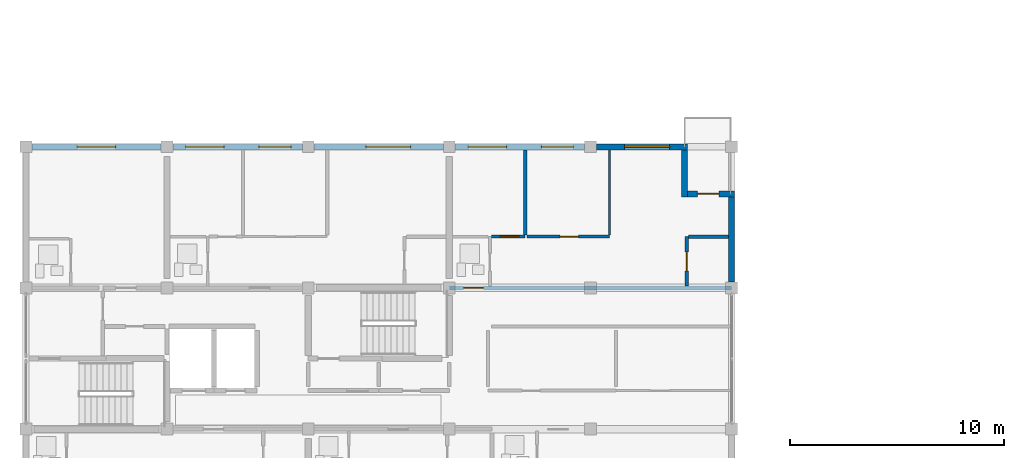
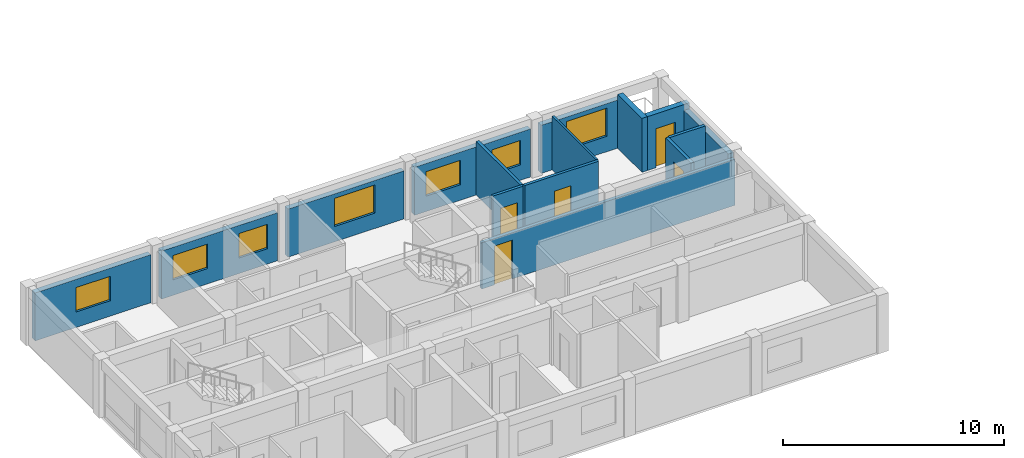
# One storey, part 33 of 46: 15 walls, 7 windows, 5 doors, 12 openings.
"""IFC4 building model written with IfcOpenShell, lengths in metres."""

from ifc_helpers import new_model, si_unit, direction, frame, frame_2d, origin, place, context, subcontext, project, spatial, rectangle, extrude, material, layer, layer_set, type_object, element, fill, save


model = new_model("IFC4")

# Units and contexts
model_context = context("Model", 3, precision=1e-05, world=origin(), true_north=direction((0.0, 1.0)))
body_context = subcontext(model_context, "Body", "Model", "MODEL_VIEW")
ifc_project = project(units=[si_unit("LENGTHUNIT", "METRE"), si_unit("AREAUNIT", "SQUARE_METRE"), si_unit("VOLUMEUNIT", "CUBIC_METRE"), si_unit("PLANEANGLEUNIT", "RADIAN"), si_unit("MASSUNIT", "GRAM", prefix="KILO")], contexts=[model_context])

# Site, building, storey
site_placement = place(None, origin())
site = spatial("IfcSite", under=ifc_project, at=site_placement, CompositionType="ELEMENT")
building_placement = place(site_placement, origin())
building = spatial("IfcBuilding", under=site, at=building_placement, Name="Kernevlak Ridge Housing Community", CompositionType="ELEMENT")
storey_placement = place(building_placement, frame((0.0, 0.0, 27.60009765625)))
storey = spatial("IfcBuildingStorey", under=building, at=storey_placement, Name="L08", CompositionType="ELEMENT", Elevation=27.60009765625)

# Wall, opening, window
ifc_material_1 = material(Name="Concrete block masonry M10", Category="masonry")
ifc_layer_1 = layer(ifc_material_1, 0.280029296875, Name="Concrete block masonry M10")
ifc_layer_set_1 = layer_set([ifc_layer_1], Name="Concrete block masonry M10")
wall_type_1 = type_object("IfcWallType", Name="EW-03", PredefinedType="STANDARD", material=ifc_layer_set_1)
wall_1_placement = place(storey_placement, frame((15.875, 95.800048828125, 0.0), z_axis=(0.0, 0.0, 1.0), x_axis=(1.0, 0.0, 0.0)))
wall_1 = element("IfcWall", 1, at=wall_1_placement, inside=storey, type_object=wall_type_1, Name="Exterior wall EW-03 L08 130", PredefinedType="STANDARD", context=body_context, shape_type="SweptSolid", body=[
    extrude(rectangle(XDim=6.050048828125, YDim=0.280029296875, at=frame_2d((3.02490234375, 0.0))), origin(), (0.0, 0.0, 1.0), 2.64990234375),
])
opening_1_placement = place(wall_1_placement, frame((2.125, 0.0, 0.85009765625)))
opening_1 = element("IfcOpeningElement", 2, at=opening_1_placement, cuts=wall_1, Name="Opening WT-03", PredefinedType="OPENING", context=body_context, shape_type="SweptSolid", body=[
    extrude(rectangle(XDim=1.800048828125, YDim=1.35009765625, at=frame_2d((0.89990234375, 0.675048828125))), frame((0.0, 0.14990234375, 0.0), z_axis=(0.0, -1.0, 0.0), x_axis=(1.0, 0.0, 0.0)), (0.0, 0.0, 1.0), 0.300048828125),
])
ifc_material_2 = material(Name="Aluminium EN AW-6060 anodised and laminated glass", Category="aluminium")
window_type_1 = type_object("IfcWindowType", Name="WT-03", PartitioningType="SINGLE_PANEL", PredefinedType="WINDOW", material=ifc_material_2)
window_1_placement = place(opening_1_placement, origin())
window_1 = element("IfcWindow", 3, at=window_1_placement, inside=storey, type_object=window_type_1, Name="Window WT-03 L08 102", OverallHeight=1.35009765625, OverallWidth=1.800048828125, PartitioningType="SINGLE_PANEL", PredefinedType="WINDOW", context=body_context, shape_type="SweptSolid", body=[
    extrude(rectangle(XDim=1.800048828125, YDim=1.35009765625, at=frame_2d((0.89990234375, 0.675048828125))), frame((0.0, 0.030029296875, 0.0), z_axis=(0.0, -1.0, 0.0), x_axis=(1.0, 0.0, 0.0)), (0.0, 0.0, 1.0), 0.06005859375),
])
fill(opening_1, window_1)

# Wall, openings, windows
wall_2_placement = place(storey_placement, frame((22.47509765625, 95.800048828125, 0.0), z_axis=(0.0, 0.0, 1.0), x_axis=(1.0, 0.0, 0.0)))
wall_2 = element("IfcWall", 4, at=wall_2_placement, inside=storey, type_object=wall_type_1, Name="Exterior wall EW-03 L08 131", PredefinedType="STANDARD", context=body_context, shape_type="SweptSolid", body=[
    extrude(rectangle(XDim=6.0498046875, YDim=0.280029296875, at=frame_2d((3.02490234375, 0.0))), origin(), (0.0, 0.0, 1.0), 2.64990234375),
])
opening_2_placement = place(wall_2_placement, frame((0.60009765625, 0.0, 0.85009765625)))
opening_2 = element("IfcOpeningElement", 5, at=opening_2_placement, cuts=wall_2, Name="Opening WT-03", PredefinedType="OPENING", context=body_context, shape_type="SweptSolid", body=[
    extrude(rectangle(XDim=1.800048828125, YDim=1.35009765625, at=frame_2d((0.89990234375, 0.675048828125))), frame((0.0, 0.14990234375, 0.0), z_axis=(0.0, -1.0, 0.0), x_axis=(1.0, 0.0, 0.0)), (0.0, 0.0, 1.0), 0.300048828125),
])
opening_3_placement = place(wall_2_placement, frame((4.02490234375, 0.0, 0.85009765625)))
opening_3 = element("IfcOpeningElement", 6, at=opening_3_placement, cuts=wall_2, Name="Opening WT-02", PredefinedType="OPENING", context=body_context, shape_type="SweptSolid", body=[
    extrude(rectangle(XDim=1.5, YDim=1.35009765625, at=frame_2d((0.75, 0.675048828125))), frame((0.0, 0.14990234375, 0.0), z_axis=(0.0, -1.0, 0.0), x_axis=(1.0, 0.0, 0.0)), (0.0, 0.0, 1.0), 0.300048828125),
])
window_type_2 = type_object("IfcWindowType", Name="WT-02", PartitioningType="SINGLE_PANEL", PredefinedType="WINDOW", material=ifc_material_2)
window_2_placement = place(opening_3_placement, origin())
window_2 = element("IfcWindow", 7, at=window_2_placement, inside=storey, type_object=window_type_2, Name="Window WT-02 L08 104", OverallHeight=1.35009765625, OverallWidth=1.5, PartitioningType="SINGLE_PANEL", PredefinedType="WINDOW", context=body_context, shape_type="SweptSolid", body=[
    extrude(rectangle(XDim=1.5, YDim=1.35009765625, at=frame_2d((0.75, 0.675048828125))), frame((0.0, 0.030029296875, 0.0), z_axis=(0.0, -1.0, 0.0), x_axis=(1.0, 0.0, 0.0)), (0.0, 0.0, 1.0), 0.06005859375),
])
fill(opening_3, window_2)
window_3_placement = place(opening_2_placement, origin())
window_3 = element("IfcWindow", 8, at=window_3_placement, inside=storey, type_object=window_type_1, Name="Window WT-03 L08 103", OverallHeight=1.35009765625, OverallWidth=1.800048828125, PartitioningType="SINGLE_PANEL", PredefinedType="WINDOW", context=body_context, shape_type="SweptSolid", body=[
    extrude(rectangle(XDim=1.800048828125, YDim=1.35009765625, at=frame_2d((0.89990234375, 0.675048828125))), frame((0.0, 0.030029296875, 0.0), z_axis=(0.0, -1.0, 0.0), x_axis=(1.0, 0.0, 0.0)), (0.0, 0.0, 1.0), 0.06005859375),
])
fill(opening_2, window_3)

# Wall, opening, window
wall_3_placement = place(storey_placement, frame((29.074951171875, 95.800048828125, 0.0), z_axis=(0.0, 0.0, 1.0), x_axis=(1.0, 0.0, 0.0)))
wall_3 = element("IfcWall", 9, at=wall_3_placement, inside=storey, type_object=wall_type_1, Name="Exterior wall EW-03 L08 132", PredefinedType="STANDARD", context=body_context, shape_type="SweptSolid", body=[
    extrude(rectangle(XDim=6.050048828125, YDim=0.280029296875, at=frame_2d((3.02490234375, 0.0))), origin(), (0.0, 0.0, 1.0), 2.64990234375),
])
opening_4_placement = place(wall_3_placement, frame((2.4208984375, 0.0, 0.85009765625)))
opening_4 = element("IfcOpeningElement", 10, at=opening_4_placement, cuts=wall_3, Name="Opening WT-05", PredefinedType="OPENING", context=body_context, shape_type="SweptSolid", body=[
    extrude(rectangle(XDim=2.10009765625, YDim=1.550048828125, at=frame_2d((1.050048828125, 0.77490234375))), frame((0.0, 0.14990234375, 0.0), z_axis=(0.0, -1.0, 0.0), x_axis=(1.0, 0.0, 0.0)), (0.0, 0.0, 1.0), 0.300048828125),
])
window_type_3 = type_object("IfcWindowType", Name="WT-05", PartitioningType="SINGLE_PANEL", PredefinedType="WINDOW", material=ifc_material_2)
window_4_placement = place(opening_4_placement, origin())
window_4 = element("IfcWindow", 11, at=window_4_placement, inside=storey, type_object=window_type_3, Name="Window WT-05 L08 105", OverallHeight=1.550048828125, OverallWidth=2.10009765625, PartitioningType="SINGLE_PANEL", PredefinedType="WINDOW", context=body_context, shape_type="SweptSolid", body=[
    extrude(rectangle(XDim=2.10009765625, YDim=1.550048828125, at=frame_2d((1.050048828125, 0.77490234375))), frame((0.0, 0.030029296875, 0.0), z_axis=(0.0, -1.0, 0.0), x_axis=(1.0, 0.0, 0.0)), (0.0, 0.0, 1.0), 0.06005859375),
])
fill(opening_4, window_4)

# Wall, openings, windows
wall_4_placement = place(storey_placement, frame((35.675048828125, 95.800048828125, 0.0), z_axis=(0.0, 0.0, 1.0), x_axis=(1.0, 0.0, 0.0)))
wall_4 = element("IfcWall", 12, at=wall_4_placement, inside=storey, type_object=wall_type_1, Name="Exterior wall EW-03 L08 133", PredefinedType="STANDARD", context=body_context, shape_type="SweptSolid", body=[
    extrude(rectangle(XDim=6.050048828125, YDim=0.280029296875, at=frame_2d((3.02490234375, 0.0))), origin(), (0.0, 0.0, 1.0), 2.64990234375),
])
opening_5_placement = place(wall_4_placement, frame((0.60009765625, 0.0, 0.85009765625)))
opening_5 = element("IfcOpeningElement", 13, at=opening_5_placement, cuts=wall_4, Name="Opening WT-03", PredefinedType="OPENING", context=body_context, shape_type="SweptSolid", body=[
    extrude(rectangle(XDim=1.800048828125, YDim=1.35009765625, at=frame_2d((0.89990234375, 0.675048828125))), frame((0.0, 0.14990234375, 0.0), z_axis=(0.0, -1.0, 0.0), x_axis=(1.0, 0.0, 0.0)), (0.0, 0.0, 1.0), 0.300048828125),
])
opening_6_placement = place(wall_4_placement, frame((4.02490234375, 0.0, 0.85009765625)))
opening_6 = element("IfcOpeningElement", 14, at=opening_6_placement, cuts=wall_4, Name="Opening WT-02", PredefinedType="OPENING", context=body_context, shape_type="SweptSolid", body=[
    extrude(rectangle(XDim=1.5, YDim=1.35009765625, at=frame_2d((0.75, 0.675048828125))), frame((0.0, 0.14990234375, 0.0), z_axis=(0.0, -1.0, 0.0), x_axis=(1.0, 0.0, 0.0)), (0.0, 0.0, 1.0), 0.300048828125),
])
window_5_placement = place(opening_6_placement, origin())
window_5 = element("IfcWindow", 15, at=window_5_placement, inside=storey, type_object=window_type_2, Name="Window WT-02 L08 107", OverallHeight=1.35009765625, OverallWidth=1.5, PartitioningType="SINGLE_PANEL", PredefinedType="WINDOW", context=body_context, shape_type="SweptSolid", body=[
    extrude(rectangle(XDim=1.5, YDim=1.35009765625, at=frame_2d((0.75, 0.675048828125))), frame((0.0, 0.030029296875, 0.0), z_axis=(0.0, -1.0, 0.0), x_axis=(1.0, 0.0, 0.0)), (0.0, 0.0, 1.0), 0.06005859375),
])
fill(opening_6, window_5)
window_6_placement = place(opening_5_placement, origin())
window_6 = element("IfcWindow", 16, at=window_6_placement, inside=storey, type_object=window_type_1, Name="Window WT-03 L08 106", OverallHeight=1.35009765625, OverallWidth=1.800048828125, PartitioningType="SINGLE_PANEL", PredefinedType="WINDOW", context=body_context, shape_type="SweptSolid", body=[
    extrude(rectangle(XDim=1.800048828125, YDim=1.35009765625, at=frame_2d((0.89990234375, 0.675048828125))), frame((0.0, 0.030029296875, 0.0), z_axis=(0.0, -1.0, 0.0), x_axis=(1.0, 0.0, 0.0)), (0.0, 0.0, 1.0), 0.06005859375),
])
fill(opening_5, window_6)

# Wall, opening, window
wall_5_placement = place(storey_placement, frame((42.27490234375, 95.800048828125, 0.0), z_axis=(0.0, 0.0, 1.0), x_axis=(1.0, 0.0, 0.0)))
wall_5 = element("IfcWall", 17, at=wall_5_placement, inside=storey, type_object=wall_type_1, Name="Exterior wall EW-03 L08 134", PredefinedType="STANDARD", context=body_context, shape_type="SweptSolid", body=[
    extrude(rectangle(XDim=4.26513671875, YDim=0.280029296875, at=frame_2d((2.132568359375, 0.0))), origin(), (0.0, 0.0, 1.0), 2.64990234375),
])
opening_7_placement = place(wall_5_placement, frame((1.321044921875, 0.0, 0.85009765625)))
opening_7 = element("IfcOpeningElement", 18, at=opening_7_placement, cuts=wall_5, Name="Opening WT-05", PredefinedType="OPENING", context=body_context, shape_type="SweptSolid", body=[
    extrude(rectangle(XDim=2.10009765625, YDim=1.550048828125, at=frame_2d((1.050048828125, 0.77490234375))), frame((0.0, 0.14990234375, 0.0), z_axis=(0.0, -1.0, 0.0), x_axis=(1.0, 0.0, 0.0)), (0.0, 0.0, 1.0), 0.300048828125),
])
window_7_placement = place(opening_7_placement, origin())
window_7 = element("IfcWindow", 19, at=window_7_placement, inside=storey, type_object=window_type_3, Name="Window WT-05 L08 108", OverallHeight=1.550048828125, OverallWidth=2.10009765625, PartitioningType="SINGLE_PANEL", PredefinedType="WINDOW", context=body_context, shape_type="SweptSolid", body=[
    extrude(rectangle(XDim=2.10009765625, YDim=1.550048828125, at=frame_2d((1.050048828125, 0.77490234375))), frame((0.0, 0.030029296875, 0.0), z_axis=(0.0, -1.0, 0.0), x_axis=(1.0, 0.0, 0.0)), (0.0, 0.0, 1.0), 0.06005859375),
])
fill(opening_7, window_7)

# Wall
wall_6_placement = place(storey_placement, frame((46.39990234375, 95.659912109375, 0.0), z_axis=(0.0, 0.0, 1.0), x_axis=(0.0, -1.0, 0.0)))
element("IfcWall", 20, at=wall_6_placement, inside=storey, type_object=wall_type_1, Name="Exterior wall EW-03 L08 135", PredefinedType="STANDARD", context=body_context, shape_type="SweptSolid", body=[
    extrude(rectangle(XDim=2.199951171875, YDim=0.280029296875, at=frame_2d((1.10009765625, 0.0))), origin(), (0.0, 0.0, 1.0), 2.969970703125),
])

# Wall, opening, door
wall_7_placement = place(storey_placement, frame((46.5400390625, 93.60009765625, 0.0), z_axis=(0.0, 0.0, 1.0), x_axis=(1.0, 0.0, 0.0)))
wall_7 = element("IfcWall", 21, at=wall_7_placement, inside=storey, type_object=wall_type_1, Name="Exterior wall EW-03 L08 136", PredefinedType="STANDARD", context=body_context, shape_type="SweptSolid", body=[
    extrude(rectangle(XDim=2.199951171875, YDim=0.280029296875, at=frame_2d((1.10009765625, 0.0))), origin(), (0.0, 0.0, 1.0), 2.969970703125),
])
opening_8_placement = place(wall_7_placement, frame((0.4599609375, 0.0, 0.0)))
opening_8 = element("IfcOpeningElement", 22, at=opening_8_placement, cuts=wall_7, Name="Opening D286", PredefinedType="OPENING", context=body_context, shape_type="SweptSolid", body=[
    extrude(rectangle(XDim=1.0, YDim=2.14990234375, at=frame_2d((0.5, 1.074951171875))), frame((0.0, 0.14990234375, 0.0), z_axis=(0.0, -1.0, 0.0), x_axis=(1.0, 0.0, 0.0)), (0.0, 0.0, 1.0), 0.300048828125),
])
ifc_material_3 = material(Name="Aluminium EN AW-6060 and laminated safety glass", Category="aluminium")
door_type_1 = type_object("IfcDoorType", Name="DT-08", OperationType="NOTDEFINED", PredefinedType="DOOR", material=ifc_material_3)
door_1_placement = place(opening_8_placement, origin())
door_1 = element("IfcDoor", 23, at=door_1_placement, inside=storey, type_object=door_type_1, Name="Flat A0823 corner balcony glazed door D286", OperationType="SINGLE_SWING_RIGHT", OverallHeight=2.14990234375, OverallWidth=1.0, PredefinedType="DOOR", context=body_context, shape_type="SweptSolid", body=[
    extrude(rectangle(XDim=1.0, YDim=2.14990234375, at=frame_2d((0.5, 1.074951171875))), frame((0.0, 0.02490234375, 0.0), z_axis=(0.0, -1.0, 0.0), x_axis=(1.0, 0.0, 0.0)), (0.0, 0.0, 1.0), 0.050048828125),
])
fill(opening_8, door_1)

# Wall
wall_8_placement = place(storey_placement, frame((48.60009765625, 89.47509765625, 0.0), z_axis=(0.0, 0.0, 1.0), x_axis=(0.0, 1.0, 0.0)))
element("IfcWall", 24, at=wall_8_placement, inside=storey, type_object=wall_type_1, Name="Exterior wall EW-03 L08 140", PredefinedType="STANDARD", context=body_context, shape_type="SweptSolid", body=[
    extrude(rectangle(XDim=3.98486328125, YDim=0.280029296875, at=frame_2d((1.992431640625, 0.0))), origin(), (0.0, 0.0, 1.0), 2.64990234375),
])

# Wall, opening, door
ifc_layer_2 = layer(ifc_material_1, 0.175048828125, Name="Concrete block masonry M10")
ifc_layer_set_2 = layer_set([ifc_layer_2], Name="Concrete block masonry M10")
wall_type_2 = type_object("IfcWallType", Name="PW-02", PredefinedType="PARTITIONING", material=ifc_layer_set_2)
wall_9_placement = place(storey_placement, frame((35.39990234375, 89.199951171875, 0.0), z_axis=(0.0, 0.0, 1.0), x_axis=(1.0, 0.0, 0.0)))
wall_9 = element("IfcWall", 25, at=wall_9_placement, inside=storey, type_object=wall_type_2, Name="Interior wall PW-02 WAL-INT-L08-0558", PredefinedType="PARTITIONING", context=body_context, shape_type="SweptSolid", body=[
    extrude(rectangle(XDim=13.2001953125, YDim=0.175048828125, at=frame_2d((6.60009765625, 0.0))), origin(), (0.0, 0.0, 1.0), 2.5498046875),
])
opening_9_placement = place(wall_9_placement, frame((0.669921875, 0.0, 0.0)))
opening_9 = element("IfcOpeningElement", 26, at=opening_9_placement, cuts=wall_9, Name="Opening D281", PredefinedType="OPENING", context=body_context, shape_type="SweptSolid", body=[
    extrude(rectangle(XDim=0.919921875, YDim=2.139892578125, at=frame_2d((0.4599609375, 1.06982421875))), frame((0.0, 0.097412109375, 0.0), z_axis=(0.0, -1.0, 0.0), x_axis=(1.0, 0.0, 0.0)), (0.0, 0.0, 1.0), 0.195068359375),
])
ifc_material_4 = material(Name="Hardwood timber solid-core fire leaf", Category="wood")
door_type_2 = type_object("IfcDoorType", Name="DT-20", OperationType="NOTDEFINED", PredefinedType="DOOR", material=ifc_material_4)
door_2_placement = place(opening_9_placement, origin())
door_2 = element("IfcDoor", 27, at=door_2_placement, inside=storey, type_object=door_type_2, Name="Flat A0823 entrance fire door D281", OperationType="SINGLE_SWING_LEFT", OverallHeight=2.139892578125, OverallWidth=0.919921875, PredefinedType="DOOR", context=body_context, shape_type="SweptSolid", body=[
    extrude(rectangle(XDim=0.919921875, YDim=2.139892578125, at=frame_2d((0.4599609375, 1.06982421875))), frame((0.0, 0.02490234375, 0.0), z_axis=(0.0, -1.0, 0.0), x_axis=(1.0, 0.0, 0.0)), (0.0, 0.0, 1.0), 0.050048828125),
])
fill(opening_9, door_2)

ifc_layer_3 = layer(ifc_material_1, 0.14501953125, Name="Concrete block masonry M10")
ifc_layer_set_3 = layer_set([ifc_layer_3], Name="Concrete block masonry M10")
wall_type_3 = type_object("IfcWallType", Name="PW-03", PredefinedType="PARTITIONING", material=ifc_layer_set_3)
wall_10_placement = place(storey_placement, frame((37.37255859375, 91.60009765625, 0.0), z_axis=(0.0, 0.0, 1.0), x_axis=(1.0, 0.0, 0.0)))
wall_10 = element("IfcWall", 28, at=wall_10_placement, inside=storey, type_object=wall_type_3, Name="Interior wall PW-03 WAL-INT-L08-0563", PredefinedType="PARTITIONING", context=body_context, shape_type="SweptSolid", body=[
    extrude(rectangle(XDim=1.577392578125, YDim=0.14501953125, at=frame_2d((0.78857421875, 0.0))), origin(), (0.0, 0.0, 1.0), 2.969970703125),
])
opening_10_placement = place(wall_10_placement, frame((0.39990234375, 0.0, 0.0)))
opening_10 = element("IfcOpeningElement", 29, at=opening_10_placement, cuts=wall_10, Name="Opening D284", PredefinedType="OPENING", context=body_context, shape_type="SweptSolid", body=[
    extrude(rectangle(XDim=0.8798828125, YDim=2.159912109375, at=frame_2d((0.43994140625, 1.080078125))), frame((0.0, 0.08251953125, 0.0), z_axis=(0.0, -1.0, 0.0), x_axis=(1.0, 0.0, 0.0)), (0.0, 0.0, 1.0), 0.1650390625),
])
ifc_material_5 = material(Name="Hardwood timber leaf", Category="wood")
door_type_3 = type_object("IfcDoorType", Name="DT-26", OperationType="NOTDEFINED", PredefinedType="DOOR", material=ifc_material_5)
door_3_placement = place(opening_10_placement, origin())
door_3 = element("IfcDoor", 30, at=door_3_placement, inside=storey, type_object=door_type_3, Name="Flat A0823 bedroom door D284", OperationType="SINGLE_SWING_RIGHT", OverallHeight=2.159912109375, OverallWidth=0.8798828125, PredefinedType="DOOR", context=body_context, shape_type="SweptSolid", body=[
    extrude(rectangle(XDim=0.8798828125, YDim=2.159912109375, at=frame_2d((0.43994140625, 1.080078125))), frame((0.0, 0.02490234375, 0.0), z_axis=(0.0, -1.0, 0.0), x_axis=(1.0, 0.0, 0.0)), (0.0, 0.0, 1.0), 0.050048828125),
])
fill(opening_10, door_3)

# Wall
wall_11_placement = place(storey_placement, frame((38.949951171875, 91.6826171875, 0.0), z_axis=(0.0, 0.0, 1.0), x_axis=(0.0, 1.0, 0.0)))
element("IfcWall", 31, at=wall_11_placement, inside=storey, type_object=wall_type_3, Name="Interior wall PW-03 WAL-INT-L08-0564", PredefinedType="PARTITIONING", context=body_context, shape_type="SweptSolid", body=[
    extrude(rectangle(XDim=3.96728515625, YDim=0.14501953125, at=frame_2d((1.983642578125, 0.0))), origin(), (0.0, 0.0, 1.0), 2.969970703125),
])

# Wall, opening, door
wall_12_placement = place(storey_placement, frame((39.032470703125, 91.60009765625, 0.0), z_axis=(0.0, 0.0, 1.0), x_axis=(1.0, 0.0, 0.0)))
wall_12 = element("IfcWall", 32, at=wall_12_placement, inside=storey, type_object=wall_type_3, Name="Interior wall PW-03 WAL-INT-L08-0565", PredefinedType="PARTITIONING", context=body_context, shape_type="SweptSolid", body=[
    extrude(rectangle(XDim=3.859619140625, YDim=0.14501953125, at=frame_2d((1.9296875, 0.0))), origin(), (0.0, 0.0, 1.0), 2.969970703125),
])
opening_11_placement = place(wall_12_placement, frame((1.5458984375, 0.0, 0.0)))
opening_11 = element("IfcOpeningElement", 33, at=opening_11_placement, cuts=wall_12, Name="Opening D285", PredefinedType="OPENING", context=body_context, shape_type="SweptSolid", body=[
    extrude(rectangle(XDim=0.860107421875, YDim=2.1201171875, at=frame_2d((0.43017578125, 1.06005859375))), frame((0.0, 0.08251953125, 0.0), z_axis=(0.0, -1.0, 0.0), x_axis=(1.0, 0.0, 0.0)), (0.0, 0.0, 1.0), 0.1650390625),
])
door_type_4 = type_object("IfcDoorType", Name="DT-28", OperationType="NOTDEFINED", PredefinedType="DOOR", material=ifc_material_5)
door_4_placement = place(opening_11_placement, origin())
door_4 = element("IfcDoor", 34, at=door_4_placement, inside=storey, type_object=door_type_4, Name="Flat A0823 bedroom door D285", OperationType="SINGLE_SWING_LEFT", OverallHeight=2.1201171875, OverallWidth=0.860107421875, PredefinedType="DOOR", context=body_context, shape_type="SweptSolid", body=[
    extrude(rectangle(XDim=0.860107421875, YDim=2.1201171875, at=frame_2d((0.43017578125, 1.06005859375))), frame((0.0, 0.02490234375, 0.0), z_axis=(0.0, -1.0, 0.0), x_axis=(1.0, 0.0, 0.0)), (0.0, 0.0, 1.0), 0.050048828125),
])
fill(opening_11, door_4)

ifc_material_6 = material(Name="Gypsum plasterboard EN 520", Category="gypsum")
ifc_layer_4 = layer(ifc_material_6, 0.155029296875, Name="Gypsum plasterboard EN 520")
ifc_layer_set_4 = layer_set([ifc_layer_4], Name="Gypsum plasterboard EN 520")
wall_type_4 = type_object("IfcWallType", Name="PW-05", PredefinedType="PARTITIONING", material=ifc_layer_set_4)
wall_13_placement = place(storey_placement, frame((46.5, 89.297607421875, 0.0), z_axis=(0.0, 0.0, 1.0), x_axis=(0.0, 1.0, 0.0)))
wall_13 = element("IfcWall", 35, at=wall_13_placement, inside=storey, type_object=wall_type_4, Name="Interior wall PW-05 WAL-INT-L08-0561", PredefinedType="PARTITIONING", context=body_context, shape_type="SweptSolid", body=[
    extrude(rectangle(XDim=2.302490234375, YDim=0.155029296875, at=frame_2d((1.1513671875, 0.0))), origin(), (0.0, 0.0, 1.0), 2.969970703125),
])
opening_12_placement = place(wall_13_placement, frame((0.699951171875, 0.0, 0.0)))
opening_12 = element("IfcOpeningElement", 36, at=opening_12_placement, cuts=wall_13, Name="Opening D283", PredefinedType="OPENING", context=body_context, shape_type="SweptSolid", body=[
    extrude(rectangle(XDim=0.8798828125, YDim=2.10009765625, at=frame_2d((0.43994140625, 1.050048828125))), frame((0.0, 0.08740234375, 0.0), z_axis=(0.0, -1.0, 0.0), x_axis=(1.0, 0.0, 0.0)), (0.0, 0.0, 1.0), 0.175048828125),
])
door_type_5 = type_object("IfcDoorType", Name="DT-25", OperationType="NOTDEFINED", PredefinedType="DOOR", material=ifc_material_5)
door_5_placement = place(opening_12_placement, origin())
door_5 = element("IfcDoor", 37, at=door_5_placement, inside=storey, type_object=door_type_5, Name="Flat A0823 kitchen door D283", OperationType="SINGLE_SWING_LEFT", OverallHeight=2.10009765625, OverallWidth=0.8798828125, PredefinedType="DOOR", context=body_context, shape_type="SweptSolid", body=[
    extrude(rectangle(XDim=0.8798828125, YDim=2.10009765625, at=frame_2d((0.43994140625, 1.050048828125))), frame((0.0, 0.02490234375, 0.0), z_axis=(0.0, -1.0, 0.0), x_axis=(1.0, 0.0, 0.0)), (0.0, 0.0, 1.0), 0.050048828125),
])
fill(opening_12, door_5)

# Walls
wall_14_placement = place(storey_placement, frame((46.58740234375, 91.60009765625, 0.0), z_axis=(0.0, 0.0, 1.0), x_axis=(1.0, 0.0, 0.0)))
element("IfcWall", 38, at=wall_14_placement, inside=storey, type_object=wall_type_4, Name="Interior wall PW-05 WAL-INT-L08-0562", PredefinedType="PARTITIONING", context=body_context, shape_type="SweptSolid", body=[
    extrude(rectangle(XDim=1.862548828125, YDim=0.155029296875, at=frame_2d((0.93115234375, 0.0))), origin(), (0.0, 0.0, 1.0), 2.969970703125),
])
ifc_layer_5 = layer(ifc_material_6, 0.10498046875, Name="Gypsum plasterboard EN 520")
ifc_layer_set_5 = layer_set([ifc_layer_5], Name="Gypsum plasterboard EN 520")
wall_type_5 = type_object("IfcWallType", Name="PW-06", PredefinedType="PARTITIONING", material=ifc_layer_set_5)
wall_15_placement = place(storey_placement, frame((42.89208984375, 91.6826171875, 0.0), z_axis=(0.0, 0.0, 1.0), x_axis=(0.0, 1.0, 0.0)))
element("IfcWall", 39, at=wall_15_placement, inside=storey, type_object=wall_type_5, Name="Interior wall PW-06 WAL-INT-L08-0566", PredefinedType="PARTITIONING", context=body_context, shape_type="SweptSolid", body=[
    extrude(rectangle(XDim=3.96728515625, YDim=0.10498046875, at=frame_2d((1.983642578125, 0.0))), origin(), (0.0, 0.0, 1.0), 2.969970703125),
])

save(model, "model.ifc")
